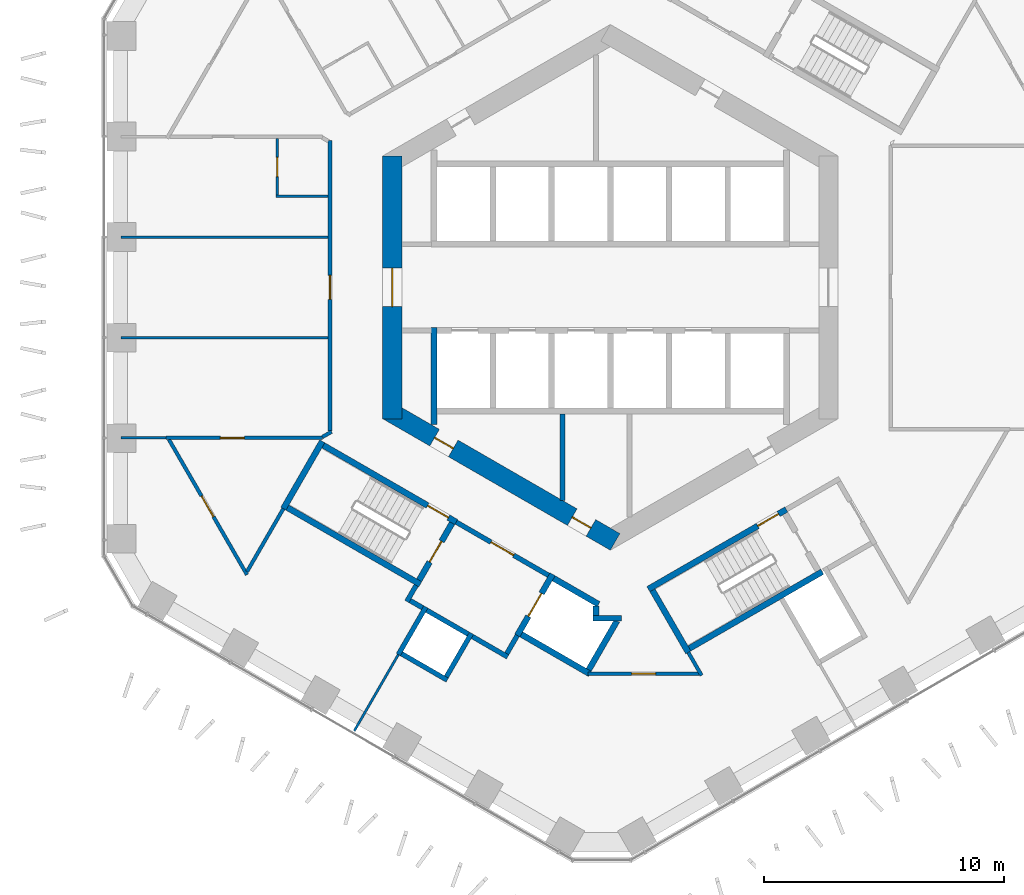
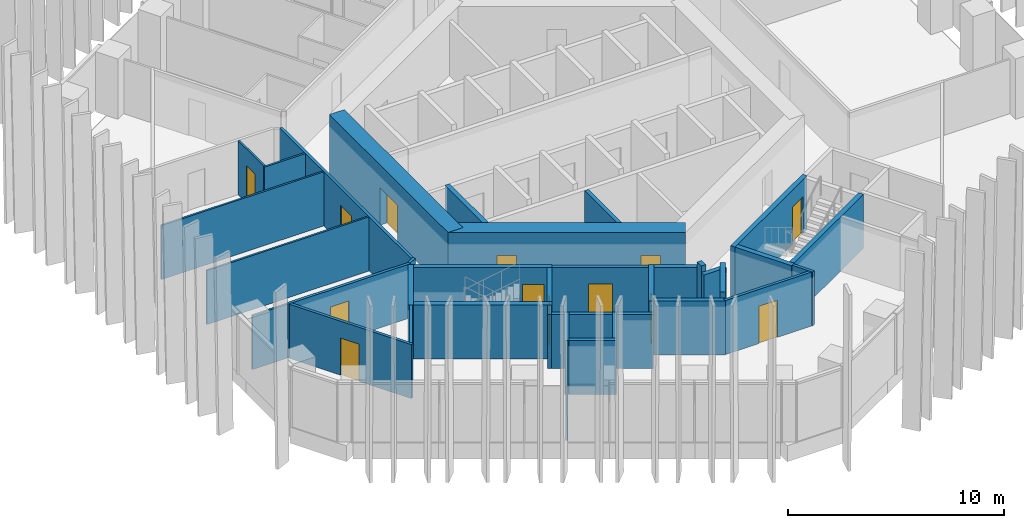
# One storey, part 13 of 19: 39 walls, 13 doors, 13 openings.
"""IFC4 building model written with IfcOpenShell, lengths in metres."""

import ifcopenshell
import ifcopenshell.guid

model = None  # the IFC model being written
_history = None  # IfcOwnerHistory: only IFC2X3 demands one
_inside = {}  # id of a spatial element -> (the spatial element, [elements in it])
_under = {}  # id of a project, library or spatial element -> (it, [spatial elements below it])
_declared = {}  # id of a project -> (the project, [libraries it declares])
_typed = {}  # id of a type object -> (the type object, [elements of that type])
_made_of = {}  # id of a material, layer set ... -> (it, [elements and type objects made of it])


def new_model(schema):
    """Start an empty IFC model of exactly this schema.

    Asked for "IFC4X3", IfcOpenShell would pick the latest addendum, in which some entities
    have other attributes; the version numbers below select the first issue.
    IFC2X3 requires an IfcOwnerHistory on every rooted entity: one is made here for all.
    """
    global model, _history
    if schema == "IFC4X3":
        model = ifcopenshell.file(schema_version=(4, 3, 0, 0))
    else:
        model = ifcopenshell.file(schema=schema)
    _inside.clear()
    _under.clear()
    _declared.clear()
    _typed.clear()
    _made_of.clear()
    _history = None
    if model.schema == "IFC2X3":
        org = make("IfcOrganization", Name="unknown")
        user = make(
            "IfcPersonAndOrganization",
            ThePerson=make("IfcPerson", FamilyName="unknown"),
            TheOrganization=org,
        )
        app = make(
            "IfcApplication",
            ApplicationDeveloper=org,
            Version="unknown",
            ApplicationFullName="unknown",
            ApplicationIdentifier="unknown",
        )
        _history = make(
            "IfcOwnerHistory",
            OwningUser=user,
            OwningApplication=app,
            ChangeAction="ADDED",
            CreationDate=0,
        )
    return model


def make(cls, **values):
    """One entity of the class cls with the attributes given. An attribute that is None is left unset."""
    return model.create_entity(
        cls, **{name: value for name, value in values.items() if value is not None}
    )


def rooted(cls, **values):
    """An entity with a GlobalId (a new one), such as an element, a storey or a relation."""
    return make(cls, GlobalId=ifcopenshell.guid.new(), OwnerHistory=_history, **values)


def si_unit(unit_type, name, prefix=None):
    """IfcSIUnit, for example si_unit("LENGTHUNIT", "METRE", prefix="MILLI")."""
    return make("IfcSIUnit", UnitType=unit_type, Prefix=prefix, Name=name)


def assignment(units):
    """IfcUnitAssignment: the units of a project."""
    return None if units is None else make("IfcUnitAssignment", Units=units)


def point(xyz):
    """IfcCartesianPoint."""
    return None if xyz is None else make("IfcCartesianPoint", Coordinates=xyz)


def direction(xyz):
    """IfcDirection."""
    return None if xyz is None else make("IfcDirection", DirectionRatios=xyz)


def frame(location, z_axis=None, x_axis=None):
    """IfcAxis2Placement3D, a coordinate frame: its origin and axes. An axis left out is left unset."""
    return make(
        "IfcAxis2Placement3D",
        Location=point(location),
        Axis=direction(z_axis),
        RefDirection=direction(x_axis),
    )


def frame_2d(location, x_axis=None):
    """IfcAxis2Placement2D, a coordinate frame in the plane: its origin and x axis."""
    return make(
        "IfcAxis2Placement2D", Location=point(location), RefDirection=direction(x_axis)
    )


def origin():
    """The frame at (0, 0, 0) with its axes left unset."""
    return frame((0.0, 0.0, 0.0))


def place(relative_to, where):
    """IfcLocalPlacement: puts the frame where relative to a parent placement (None: the world)."""
    return make(
        "IfcLocalPlacement", PlacementRelTo=relative_to, RelativePlacement=where
    )


def context(
    kind, dimensions, precision=None, world=None, true_north=None, identifier=None
):
    """IfcGeometricRepresentationContext, for example the 3D "Model" context."""
    return make(
        "IfcGeometricRepresentationContext",
        ContextIdentifier=identifier,
        ContextType=kind,
        CoordinateSpaceDimension=dimensions,
        Precision=precision,
        WorldCoordinateSystem=world,
        TrueNorth=true_north,
    )


def subcontext(parent, identifier, kind, view, scale=None):
    """IfcGeometricRepresentationSubContext, for example "Body" below "Model"."""
    return make(
        "IfcGeometricRepresentationSubContext",
        ContextIdentifier=identifier,
        ContextType=kind,
        ParentContext=parent,
        TargetScale=scale,
        TargetView=view,
    )


def project(units=None, contexts=None):
    """IfcProject with its units and contexts."""
    return rooted(
        "IfcProject",
        Name="project",
        RepresentationContexts=contexts,
        UnitsInContext=assignment(units),
    )


def spatial(cls, under=None, at=None, **own):
    """A site, building, storey or space (cls), placed at a placement, below another one or the project."""
    s = rooted(cls, ObjectPlacement=at, **own)
    if under is not None:
        _under.setdefault(under.id(), (under, []))[1].append(s)
    return s


def profile(cls, at=None, kind="AREA", **sizes):
    """A parametric profile (cls). Its sizes go by their IFC names, for example OverallWidth=200.0."""
    return make(cls, ProfileType=kind, Position=at, **sizes)


def rectangle(**sizes):
    """IfcRectangleProfileDef."""
    return profile("IfcRectangleProfileDef", **sizes)


def extrude(swept, where, along, depth):
    """IfcExtrudedAreaSolid: the profile swept, set in the frame where, extruded along a direction by depth."""
    return make(
        "IfcExtrudedAreaSolid",
        SweptArea=swept,
        Position=where,
        ExtrudedDirection=direction(along),
        Depth=depth,
    )


def shape(context_of_items, identifier, shape_type, items):
    """IfcShapeRepresentation: the items that make up one representation, for example the "Body"."""
    return make(
        "IfcShapeRepresentation",
        ContextOfItems=context_of_items,
        RepresentationIdentifier=identifier,
        RepresentationType=shape_type,
        Items=items,
    )


def material(Name=None, Category=None):
    """IfcMaterial."""
    return make("IfcMaterial", Name=Name, Category=Category)


def layer(
    of_material, thickness, ventilated=None, Name=None, Category=None, Priority=None
):
    """IfcMaterialLayer: one layer of a wall or slab, of a material (None: an air gap)."""
    return make(
        "IfcMaterialLayer",
        Material=of_material,
        LayerThickness=thickness,
        IsVentilated=ventilated,
        Name=Name,
        Category=Category,
        Priority=Priority,
    )


def layer_set(layers, Name=None):
    """IfcMaterialLayerSet."""
    return make("IfcMaterialLayerSet", MaterialLayers=layers, LayerSetName=Name)


def made_of(thing, what):
    """Note that an element or type object is made of a material, layer set ...; save() writes the relation."""
    if what is not None:
        _made_of.setdefault(what.id(), (what, []))[1].append(thing)
    return thing


def type_object(cls, material=None, **own):
    """A type object (cls), such as IfcWallType, which elements share."""
    return made_of(rooted(cls, **own), material)


def element(
    cls,
    number,
    at=None,
    inside=None,
    cuts=None,
    type_object=None,
    material=None,
    context=None,
    identifier="Body",
    shape_type=None,
    held_by="IfcProductDefinitionShape",
    body=None,
    shapes=None,
    **own,
):
    """One element of the class cls, such as IfcWall. Its Tag is "e" and its number.

    at: its placement. inside: the storey or other place that contains it. cuts: it is an
    opening in that element (IfcRelVoidsElement). A single representation is given by context,
    identifier, shape_type and body (its items); several are given by shapes. held_by: the class
    of the entity that holds the representations. save() writes the other relations.
    """
    e = rooted(cls, Tag="e%d" % number, ObjectPlacement=at, **own)
    if body is not None:
        shapes = [shape(context, identifier, shape_type, body)]
    if shapes is not None:
        e.Representation = make(held_by, Representations=shapes)
    if inside is not None:
        _inside.setdefault(inside.id(), (inside, []))[1].append(e)
    if cuts is not None:
        rooted(
            "IfcRelVoidsElement", RelatingBuildingElement=cuts, RelatedOpeningElement=e
        )
    if type_object is not None:
        _typed.setdefault(type_object.id(), (type_object, []))[1].append(e)
    return made_of(e, material)


def fill(opening, filler):
    """IfcRelFillsElement: the door or window that sits in an opening."""
    return rooted(
        "IfcRelFillsElement",
        RelatingOpeningElement=opening,
        RelatedBuildingElement=filler,
    )


def aggregate(whole, parts):
    """IfcRelAggregates: a whole, such as a stair, and the parts it consists of."""
    return rooted("IfcRelAggregates", RelatingObject=whole, RelatedObjects=parts)


def save(model, path):
    """Write the relations noted so far, then the file.

    IfcRelAggregates (storeys below a building ...), IfcRelContainedInSpatialStructure (elements
    in a storey), IfcRelDefinesByType, IfcRelAssociatesMaterial and IfcRelDeclares: one each for
    every whole, place, type object, material and project.
    """
    for whole, parts in _under.values():
        aggregate(whole, parts)
    for where, things in _inside.values():
        rooted(
            "IfcRelContainedInSpatialStructure",
            RelatedElements=things,
            RelatingStructure=where,
        )
    for kind, things in _typed.values():
        rooted("IfcRelDefinesByType", RelatedObjects=things, RelatingType=kind)
    for what, things in _made_of.values():
        rooted("IfcRelAssociatesMaterial", RelatedObjects=things, RelatingMaterial=what)
    for by, libraries in _declared.values():
        rooted("IfcRelDeclares", RelatingContext=by, RelatedDefinitions=libraries)
    model.write(path)


model = new_model("IFC4")

# Units and contexts
model_context = context("Model", 3, precision=1e-05, world=origin(), true_north=direction((0.0, 1.0)))
body_context = subcontext(model_context, "Body", "Model", "MODEL_VIEW")
ifc_project = project(units=[si_unit("LENGTHUNIT", "METRE"), si_unit("AREAUNIT", "SQUARE_METRE"), si_unit("VOLUMEUNIT", "CUBIC_METRE"), si_unit("PLANEANGLEUNIT", "RADIAN"), si_unit("MASSUNIT", "GRAM", prefix="KILO")], contexts=[model_context])

# Site, building, storey
site_placement = place(None, origin())
site = spatial("IfcSite", under=ifc_project, at=site_placement, CompositionType="ELEMENT")
building_placement = place(site_placement, origin())
building = spatial("IfcBuilding", under=site, at=building_placement, Name="Ayvan Gate Tower", CompositionType="ELEMENT")
storey_placement = place(building_placement, frame((0.0, 0.0, 45.89990234375)))
storey = spatial("IfcBuildingStorey", under=building, at=storey_placement, Name="L11", CompositionType="ELEMENT", Elevation=45.89990234375)

# Wall, opening, door
ifc_material_1 = material(Name="Concrete C70/85", Category="concrete")
ifc_layer_1 = layer(ifc_material_1, 0.800048828125)
ifc_layer_set_1 = layer_set([ifc_layer_1], Name="Concrete C70/85")
wall_type_1 = type_object("IfcWallType", Name="Core wall 800 C70/85", PredefinedType="SHEAR", material=ifc_layer_set_1)
wall_1_placement = place(storey_placement, frame((-9.10009765625, 5.48486328125, 0.0), z_axis=(0.0, 0.0, 1.0), x_axis=(0.0, -1.0, 0.0)))
wall_1 = element("IfcWall", 1, at=wall_1_placement, inside=storey, type_object=wall_type_1, Name="CORE-L11-3", PredefinedType="SHEAR", context=body_context, shape_type="SweptSolid", body=[
    extrude(rectangle(XDim=10.9697265625, YDim=0.800048828125, at=frame_2d((5.48486328125, 0.0))), origin(), (0.0, 0.0, 1.0), 3.400146484375),
])
opening_1_placement = place(wall_1_placement, frame((4.684814453125, 0.0, 0.0)))
opening_1 = element("IfcOpeningElement", 2, at=opening_1_placement, cuts=wall_1, Name="Opening L11-D40", PredefinedType="OPENING", context=body_context, shape_type="SweptSolid", body=[
    extrude(rectangle(XDim=1.60009765625, YDim=2.10009765625, at=frame_2d((0.800048828125, 1.050048828125))), frame((0.0, 0.409912109375, 0.0), z_axis=(0.0, -1.0, 0.0), x_axis=(1.0, 0.0, 0.0)), (0.0, 0.0, 1.0), 0.820068359375),
])
ifc_material_2 = material(Name="Timber door leaf", Category="wood")
door_type_1 = type_object("IfcDoorType", Name="DT-1600", OperationType="NOTDEFINED", PredefinedType="DOOR", material=ifc_material_2)
door_1_placement = place(opening_1_placement, origin())
door_1 = element("IfcDoor", 3, at=door_1_placement, inside=storey, type_object=door_type_1, Name="CD-L11-40", OperationType="SINGLE_SWING_LEFT", OverallHeight=2.10009765625, OverallWidth=1.60009765625, PredefinedType="DOOR", context=body_context, shape_type="SweptSolid", body=[
    extrude(rectangle(XDim=1.60009765625, YDim=2.10009765625, at=frame_2d((0.800048828125, 1.050048828125))), frame((0.0, 0.02490234375, 0.0), z_axis=(0.0, -1.0, 0.0), x_axis=(1.0, 0.0, 0.0)), (0.0, 0.0, 1.0), 0.050048828125),
])
fill(opening_1, door_1)

# Wall, openings, doors
wall_2_placement = place(storey_placement, frame((-9.300048828125, -5.138427734375, 0.0), z_axis=(0.0, 0.0, 1.0), x_axis=(0.866023993627, -0.500002442456, 0.0)))
wall_2 = element("IfcWall", 4, at=wall_2_placement, inside=storey, type_object=wall_type_1, Name="CORE-L11-4", PredefinedType="SHEAR", context=body_context, shape_type="SweptSolid", body=[
    extrude(rectangle(XDim=10.9697265625, YDim=0.800048828125, at=frame_2d((5.48486328125, 0.0))), origin(), (0.0, 0.0, 1.0), 3.400146484375),
])
opening_2_placement = place(wall_2_placement, frame((2.268310546875, 0.0, 0.0)))
opening_2 = element("IfcOpeningElement", 5, at=opening_2_placement, cuts=wall_2, Name="Opening L11-D36", PredefinedType="OPENING", context=body_context, shape_type="SweptSolid", body=[
    extrude(rectangle(XDim=0.89990234375, YDim=2.10009765625, at=frame_2d((0.449951171875, 1.050048828125))), frame((0.0, 0.409912109375, 0.0), z_axis=(0.0, -1.0, 0.0), x_axis=(1.0, 0.0, 0.0)), (0.0, 0.0, 1.0), 0.820068359375),
])
opening_3_placement = place(wall_2_placement, frame((8.902587890625, 0.0, 0.0)))
opening_3 = element("IfcOpeningElement", 6, at=opening_3_placement, cuts=wall_2, Name="Opening L11-D37", PredefinedType="OPENING", context=body_context, shape_type="SweptSolid", body=[
    extrude(rectangle(XDim=0.89990234375, YDim=2.10009765625, at=frame_2d((0.449951171875, 1.050048828125))), frame((0.0, 0.409912109375, 0.0), z_axis=(0.0, -1.0, 0.0), x_axis=(1.0, 0.0, 0.0)), (0.0, 0.0, 1.0), 0.820068359375),
])
door_type_2 = type_object("IfcDoorType", Name="DT-900", OperationType="NOTDEFINED", PredefinedType="DOOR", material=ifc_material_2)
door_2_placement = place(opening_2_placement, origin())
door_2 = element("IfcDoor", 7, at=door_2_placement, inside=storey, type_object=door_type_2, Name="CD-L11-36", OperationType="SINGLE_SWING_LEFT", OverallHeight=2.10009765625, OverallWidth=0.89990234375, PredefinedType="DOOR", context=body_context, shape_type="SweptSolid", body=[
    extrude(rectangle(XDim=0.89990234375, YDim=2.10009765625, at=frame_2d((0.449951171875, 1.050048828125))), frame((0.0, 0.02490234375, 0.0), z_axis=(0.0, -1.0, 0.0), x_axis=(1.0, 0.0, 0.0)), (0.0, 0.0, 1.0), 0.050048828125),
])
fill(opening_2, door_2)
door_3_placement = place(opening_3_placement, origin())
door_3 = element("IfcDoor", 8, at=door_3_placement, inside=storey, type_object=door_type_2, Name="CD-L11-37", OperationType="SINGLE_SWING_RIGHT", OverallHeight=2.10009765625, OverallWidth=0.89990234375, PredefinedType="DOOR", context=body_context, shape_type="SweptSolid", body=[
    extrude(rectangle(XDim=0.89990234375, YDim=2.10009765625, at=frame_2d((0.449951171875, 1.050048828125))), frame((0.0, 0.02490234375, 0.0), z_axis=(0.0, -1.0, 0.0), x_axis=(1.0, 0.0, 0.0)), (0.0, 0.0, 1.0), 0.050048828125),
])
fill(opening_3, door_3)

# Wall, opening, door
ifc_material_3 = material(Name="Plasterboard on steel stud", Category="steel")
ifc_layer_2 = layer(ifc_material_3, 0.14990234375)
ifc_layer_set_2 = layer_set([ifc_layer_2], Name="Plasterboard on steel stud")
wall_type_2 = type_object("IfcWallType", Name="WT-CORR-150", PredefinedType="PARTITIONING", material=ifc_layer_set_2)
wall_3_placement = place(storey_placement, frame((-18.53662109375, -6.2841796875, 0.0), z_axis=(0.0, 0.0, 1.0), x_axis=(1.0, 0.0, 0.0)))
wall_3 = element("IfcWall", 9, at=wall_3_placement, inside=storey, type_object=wall_type_2, Name="IW-L11-000", PredefinedType="PARTITIONING", context=body_context, shape_type="SweptSolid", body=[
    extrude(rectangle(XDim=6.527099609375, YDim=0.14990234375, at=frame_2d((3.263671875, 0.0))), origin(), (0.0, 0.0, 1.0), 3.050048828125),
])
opening_4_placement = place(wall_3_placement, frame((2.259521484375, 0.0, 0.0)))
opening_4 = element("IfcOpeningElement", 10, at=opening_4_placement, cuts=wall_3, Name="Opening L11-D24", PredefinedType="OPENING", context=body_context, shape_type="SweptSolid", body=[
    extrude(rectangle(XDim=1.0, YDim=2.10009765625, at=frame_2d((0.5, 1.050048828125))), frame((0.0, 0.0849609375, 0.0), z_axis=(0.0, -1.0, 0.0), x_axis=(1.0, 0.0, 0.0)), (0.0, 0.0, 1.0), 0.169921875),
])
door_type_3 = type_object("IfcDoorType", Name="DT-1000", OperationType="NOTDEFINED", PredefinedType="DOOR", material=ifc_material_2)
door_4_placement = place(opening_4_placement, origin())
door_4 = element("IfcDoor", 11, at=door_4_placement, inside=storey, type_object=door_type_3, Name="ID-L11-024", OperationType="SINGLE_SWING_LEFT", OverallHeight=2.10009765625, OverallWidth=1.0, PredefinedType="DOOR", context=body_context, shape_type="SweptSolid", body=[
    extrude(rectangle(XDim=1.0, YDim=2.10009765625, at=frame_2d((0.5, 1.050048828125))), frame((0.0, 0.02490234375, 0.0), z_axis=(0.0, -1.0, 0.0), x_axis=(1.0, 0.0, 0.0)), (0.0, 0.0, 1.0), 0.050048828125),
])
fill(opening_4, door_4)

wall_4_placement = place(storey_placement, frame((-15.164306640625, -11.995361328125, 0.0), z_axis=(0.0, 0.0, 1.0), x_axis=(-0.499989336744, 0.866031560131, 0.0)))
wall_4 = element("IfcWall", 12, at=wall_4_placement, inside=storey, type_object=wall_type_2, Name="IW-L11-005", PredefinedType="PARTITIONING", context=body_context, shape_type="SweptSolid", body=[
    extrude(rectangle(XDim=6.519775390625, YDim=0.14990234375, at=frame_2d((3.259765625, 0.0))), origin(), (0.0, 0.0, 1.0), 3.050048828125),
])
opening_5_placement = place(wall_4_placement, frame((2.79736328125, 0.0, 0.0)))
opening_5 = element("IfcOpeningElement", 13, at=opening_5_placement, cuts=wall_4, Name="Opening L11-D25", PredefinedType="OPENING", context=body_context, shape_type="SweptSolid", body=[
    extrude(rectangle(XDim=1.0, YDim=2.10009765625, at=frame_2d((0.5, 1.050048828125))), frame((0.0, 0.0849609375, 0.0), z_axis=(0.0, -1.0, 0.0), x_axis=(1.0, 0.0, 0.0)), (0.0, 0.0, 1.0), 0.169921875),
])
door_5_placement = place(opening_5_placement, origin())
door_5 = element("IfcDoor", 14, at=door_5_placement, inside=storey, type_object=door_type_3, Name="ID-L11-025", OperationType="SINGLE_SWING_RIGHT", OverallHeight=2.10009765625, OverallWidth=1.0, PredefinedType="DOOR", context=body_context, shape_type="SweptSolid", body=[
    extrude(rectangle(XDim=1.0, YDim=2.10009765625, at=frame_2d((0.5, 1.050048828125))), frame((0.0, 0.02490234375, 0.0), z_axis=(0.0, -1.0, 0.0), x_axis=(1.0, 0.0, 0.0)), (0.0, 0.0, 1.0), 0.050048828125),
])
fill(opening_5, door_5)

# Walls
wall_5_placement = place(storey_placement, frame((-13.647705078125, -9.23876953125, 0.0), z_axis=(0.0, 0.0, 1.0), x_axis=(-0.500017413604, -0.866015349802, 0.0)))
element("IfcWall", 15, at=wall_5_placement, inside=storey, type_object=wall_type_2, Name="IW-L11-011", PredefinedType="PARTITIONING", context=body_context, shape_type="SweptSolid", body=[
    extrude(rectangle(XDim=3.033203125, YDim=0.14990234375, at=frame_2d((1.5166015625, 0.0))), origin(), (0.0, 0.0, 1.0), 3.050048828125),
])
wall_6_placement = place(storey_placement, frame((-12.01953125, -6.24658203125, 0.0), z_axis=(0.0, 0.0, 1.0), x_axis=(0.866103179807, 0.499865263774, 0.0)))
element("IfcWall", 16, at=wall_6_placement, inside=storey, type_object=wall_type_2, Name="IW-L11-013", PredefinedType="PARTITIONING", context=body_context, shape_type="SweptSolid", body=[
    extrude(rectangle(XDim=0.44384765625, YDim=0.14990234375, at=frame_2d((0.221923828125, 0.0))), origin(), (0.0, 0.0, 1.0), 3.050048828125),
])

# Wall, opening, door
wall_7_placement = place(storey_placement, frame((-11.699951171875, 6.13720703125, 0.0), z_axis=(0.0, 0.0, 1.0), x_axis=(0.0, -1.0, 0.0)))
wall_7 = element("IfcWall", 17, at=wall_7_placement, inside=storey, type_object=wall_type_2, Name="IW-L11-015", PredefinedType="PARTITIONING", context=body_context, shape_type="SweptSolid", body=[
    extrude(rectangle(XDim=12.12451171875, YDim=0.14990234375, at=frame_2d((6.062255859375, 0.0))), origin(), (0.0, 0.0, 1.0), 3.050048828125),
])
opening_6_placement = place(wall_7_placement, frame((5.63720703125, 0.0, 0.0)))
opening_6 = element("IfcOpeningElement", 18, at=opening_6_placement, cuts=wall_7, Name="Opening L11-D23", PredefinedType="OPENING", context=body_context, shape_type="SweptSolid", body=[
    extrude(rectangle(XDim=1.0, YDim=2.10009765625, at=frame_2d((0.5, 1.050048828125))), frame((0.0, 0.0849609375, 0.0), z_axis=(0.0, -1.0, 0.0), x_axis=(1.0, 0.0, 0.0)), (0.0, 0.0, 1.0), 0.169921875),
])
door_6_placement = place(opening_6_placement, origin())
door_6 = element("IfcDoor", 19, at=door_6_placement, inside=storey, type_object=door_type_3, Name="ID-L11-023", OperationType="SINGLE_SWING_RIGHT", OverallHeight=2.10009765625, OverallWidth=1.0, PredefinedType="DOOR", context=body_context, shape_type="SweptSolid", body=[
    extrude(rectangle(XDim=1.0, YDim=2.10009765625, at=frame_2d((0.5, 1.050048828125))), frame((0.0, 0.02490234375, 0.0), z_axis=(0.0, -1.0, 0.0), x_axis=(1.0, 0.0, 0.0)), (0.0, 0.0, 1.0), 0.050048828125),
])
fill(opening_6, door_6)

# Wall
wall_8_placement = place(storey_placement, frame((3.255615234375, -15.23876953125, 0.0), z_axis=(0.0, 0.0, 1.0), x_axis=(0.499990325971, -0.866030989016, 0.0)))
element("IfcWall", 20, at=wall_8_placement, inside=storey, type_object=wall_type_2, Name="IW-L11-077", PredefinedType="PARTITIONING", context=body_context, shape_type="SweptSolid", body=[
    extrude(rectangle(XDim=1.1044921875, YDim=0.14990234375, at=frame_2d((0.55224609375, 0.0))), origin(), (0.0, 0.0, 1.0), 3.050048828125),
])

# Wall, opening, door
wall_9_placement = place(storey_placement, frame((3.6953125, -16.13037109375, 0.0), z_axis=(0.0, 0.0, 1.0), x_axis=(-1.0, 0.0, 0.0)))
wall_9 = element("IfcWall", 21, at=wall_9_placement, inside=storey, type_object=wall_type_2, Name="IW-L11-079", PredefinedType="PARTITIONING", context=body_context, shape_type="SweptSolid", body=[
    extrude(rectangle(XDim=4.619384765625, YDim=0.14990234375, at=frame_2d((2.3095703125, 0.0))), origin(), (0.0, 0.0, 1.0), 3.050048828125),
])
opening_7_placement = place(wall_9_placement, frame((1.8095703125, 0.0, 0.0)))
opening_7 = element("IfcOpeningElement", 22, at=opening_7_placement, cuts=wall_9, Name="Opening L11-D26", PredefinedType="OPENING", context=body_context, shape_type="SweptSolid", body=[
    extrude(rectangle(XDim=1.0, YDim=2.10009765625, at=frame_2d((0.5, 1.050048828125))), frame((0.0, 0.0849609375, 0.0), z_axis=(0.0, -1.0, 0.0), x_axis=(1.0, 0.0, 0.0)), (0.0, 0.0, 1.0), 0.169921875),
])
door_7_placement = place(opening_7_placement, origin())
door_7 = element("IfcDoor", 23, at=door_7_placement, inside=storey, type_object=door_type_3, Name="ID-L11-026", OperationType="SINGLE_SWING_LEFT", OverallHeight=2.10009765625, OverallWidth=1.0, PredefinedType="DOOR", context=body_context, shape_type="SweptSolid", body=[
    extrude(rectangle(XDim=1.0, YDim=2.10009765625, at=frame_2d((0.5, 1.050048828125))), frame((0.0, 0.02490234375, 0.0), z_axis=(0.0, -1.0, 0.0), x_axis=(1.0, 0.0, 0.0)), (0.0, 0.0, 1.0), 0.050048828125),
])
fill(opening_7, door_7)

# Walls
ifc_layer_3 = layer(ifc_material_3, 0.10009765625)
ifc_layer_set_3 = layer_set([ifc_layer_3], Name="Plasterboard on steel stud")
wall_type_3 = type_object("IfcWallType", Name="WT-PART-100", PredefinedType="PARTITIONING", material=ifc_layer_set_3)
wall_10_placement = place(storey_placement, frame((-18.53662109375, -6.2841796875, 0.0), z_axis=(0.0, 0.0, 1.0), x_axis=(-1.0, 0.0, 0.0)))
element("IfcWall", 24, at=wall_10_placement, inside=storey, type_object=wall_type_3, Name="IW-L11-003", PredefinedType="PARTITIONING", context=body_context, shape_type="SweptSolid", body=[
    extrude(rectangle(XDim=1.891845703125, YDim=0.10009765625, at=frame_2d((0.94580078125, 0.0))), origin(), (0.0, 0.0, 1.0), 3.050048828125),
])
wall_11_placement = place(storey_placement, frame((-13.949951171875, 3.794677734375, 0.0), z_axis=(0.0, 0.0, 1.0), x_axis=(1.0, 0.0, 0.0)))
element("IfcWall", 25, at=wall_11_placement, inside=storey, type_object=wall_type_3, Name="IW-L11-007", PredefinedType="PARTITIONING", context=body_context, shape_type="SweptSolid", body=[
    extrude(rectangle(XDim=2.175048828125, YDim=0.10009765625, at=frame_2d((1.08740234375, 0.0))), origin(), (0.0, 0.0, 1.0), 3.050048828125),
])

# Wall, opening, door
wall_12_placement = place(storey_placement, frame((-13.89990234375, 6.208984375, 0.0), z_axis=(0.0, 0.0, 1.0), x_axis=(0.0, -1.0, 0.0)))
wall_12 = element("IfcWall", 26, at=wall_12_placement, inside=storey, type_object=wall_type_3, Name="IW-L11-008", PredefinedType="PARTITIONING", context=body_context, shape_type="SweptSolid", body=[
    extrude(rectangle(XDim=2.3642578125, YDim=0.10009765625, at=frame_2d((1.18212890625, 0.0))), origin(), (0.0, 0.0, 1.0), 3.050048828125),
])
opening_8_placement = place(wall_12_placement, frame((0.7822265625, 0.0, 0.0)))
opening_8 = element("IfcOpeningElement", 27, at=opening_8_placement, cuts=wall_12, Name="Opening L11-D22", PredefinedType="OPENING", context=body_context, shape_type="SweptSolid", body=[
    extrude(rectangle(XDim=0.800048828125, YDim=2.10009765625, at=frame_2d((0.39990234375, 1.050048828125))), frame((0.0, 0.06005859375, 0.0), z_axis=(0.0, -1.0, 0.0), x_axis=(1.0, 0.0, 0.0)), (0.0, 0.0, 1.0), 0.1201171875),
])
door_type_4 = type_object("IfcDoorType", Name="DT-800", OperationType="NOTDEFINED", PredefinedType="DOOR", material=ifc_material_2)
door_8_placement = place(opening_8_placement, origin())
door_8 = element("IfcDoor", 28, at=door_8_placement, inside=storey, type_object=door_type_4, Name="ID-L11-022", OperationType="SINGLE_SWING_LEFT", OverallHeight=2.10009765625, OverallWidth=0.800048828125, PredefinedType="DOOR", context=body_context, shape_type="SweptSolid", body=[
    extrude(rectangle(XDim=0.800048828125, YDim=2.10009765625, at=frame_2d((0.39990234375, 1.050048828125))), frame((0.0, 0.02490234375, 0.0), z_axis=(0.0, -1.0, 0.0), x_axis=(1.0, 0.0, 0.0)), (0.0, 0.0, 1.0), 0.050048828125),
])
fill(opening_8, door_8)

# Walls
for number, where, z_axis, x_axis, name in (
    (29, (-11.77490234375, -2.0947265625, 0.0), (0.0, 0.0, 1.0), (-1.0, 0.0, 0.0), "IW-L11-014"),
    (30, (-11.77490234375, 2.0947265625, 0.0), (0.0, 0.0, 1.0), (-1.0, 0.0, 0.0), "IW-L11-016"),
):
    element("IfcWall", number, at=place(storey_placement, frame(where, z_axis=z_axis, x_axis=x_axis)), inside=storey, type_object=wall_type_3, Name=name, PredefinedType="PARTITIONING", context=body_context, shape_type="SweptSolid", body=[
        extrude(rectangle(XDim=8.653564453125, YDim=0.10009765625, at=frame_2d((4.32666015625, 0.0))), origin(), (0.0, 0.0, 1.0), 3.050048828125),
    ])
wall_13_placement = place(storey_placement, frame((-8.85009765625, -15.32861328125, 0.0), z_axis=(0.0, 0.0, 1.0), x_axis=(-0.499955964762, -0.866050826049, 0.0)))
element("IfcWall", 31, at=wall_13_placement, inside=storey, type_object=wall_type_3, Name="IW-L11-023", PredefinedType="PARTITIONING", context=body_context, shape_type="SweptSolid", body=[
    extrude(rectangle(XDim=3.680419921875, YDim=0.10009765625, at=frame_2d((1.84033203125, 0.0))), origin(), (0.0, 0.0, 1.0), 3.050048828125),
])
ifc_layer_4 = layer(ifc_material_3, 0.199951171875)
ifc_layer_set_4 = layer_set([ifc_layer_4], Name="Plasterboard on steel stud")
wall_type_4 = type_object("IfcWallType", Name="WT-PLUMB-200", PredefinedType="PLUMBINGWALL", material=ifc_layer_set_4)
wall_14_placement = place(storey_placement, frame((-8.85009765625, -15.32861328125, 0.0), z_axis=(0.0, 0.0, 1.0), x_axis=(0.500077740698, 0.865980515519, 0.0)))
element("IfcWall", 32, at=wall_14_placement, inside=storey, type_object=wall_type_4, Name="IW-L11-022", PredefinedType="PLUMBINGWALL", context=body_context, shape_type="SweptSolid", body=[
    extrude(rectangle(XDim=2.300048828125, YDim=0.199951171875, at=frame_2d((1.14990234375, 0.0))), origin(), (0.0, 0.0, 1.0), 3.050048828125),
])
wall_15_placement = place(storey_placement, frame((-6.80810546875, -16.39208984375, 0.0), z_axis=(0.0, 0.0, 1.0), x_axis=(-0.866008176907, 0.50002983664, 0.0)))
element("IfcWall", 33, at=wall_15_placement, inside=storey, type_object=wall_type_4, Name="IW-L11-035", PredefinedType="PLUMBINGWALL", context=body_context, shape_type="SweptSolid", body=[
    extrude(rectangle(XDim=2.199951171875, YDim=0.199951171875, at=frame_2d((1.10009765625, 0.0))), origin(), (0.0, 0.0, 1.0), 3.050048828125),
])
wall_16_placement = place(storey_placement, frame((-5.794677734375, -14.436767578125, 0.0), z_axis=(0.0, 0.0, 1.0), x_axis=(-0.500027713859, -0.866009402589, 0.0)))
element("IfcWall", 34, at=wall_16_placement, inside=storey, type_object=wall_type_4, Name="IW-L11-038", PredefinedType="PLUMBINGWALL", context=body_context, shape_type="SweptSolid", body=[
    extrude(rectangle(XDim=2.10009765625, YDim=0.199951171875, at=frame_2d((1.050048828125, 0.0))), origin(), (0.0, 0.0, 1.0), 3.050048828125),
])
wall_17_placement = place(storey_placement, frame((-5.931396484375, -14.473388671875, 0.0), z_axis=(0.0, 0.0, 1.0), x_axis=(-0.866041268327, 0.499972520799, 0.0)))
element("IfcWall", 35, at=wall_17_placement, inside=storey, type_object=wall_type_4, Name="IW-L11-039", PredefinedType="PLUMBINGWALL", context=body_context, shape_type="SweptSolid", body=[
    extrude(rectangle(XDim=2.0, YDim=0.199951171875, at=frame_2d((1.0, 0.0))), origin(), (0.0, 0.0, 1.0), 3.050048828125),
])
ifc_layer_5 = layer(ifc_material_3, 0.199951171875)
ifc_layer_set_5 = layer_set([ifc_layer_5], Name="Plasterboard on steel stud")
wall_type_5 = type_object("IfcWallType", Name="WT-RATED-200", PredefinedType="PARTITIONING", material=ifc_layer_set_5)
wall_18_placement = place(storey_placement, frame((-8.492919921875, -13.110107421875, 0.0), z_axis=(0.0, 0.0, 1.0), x_axis=(0.500067724834, 0.865986299303, 0.0)))
element("IfcWall", 36, at=wall_18_placement, inside=storey, type_object=wall_type_5, Name="IW-L11-025", PredefinedType="PARTITIONING", context=body_context, shape_type="SweptSolid", body=[
    extrude(rectangle(XDim=0.775390625, YDim=0.199951171875, at=frame_2d((0.3876953125, 0.0))), origin(), (0.0, 0.0, 1.0), 3.050048828125),
])
wall_19_placement = place(storey_placement, frame((-7.83642578125, -13.373291015625, 0.0), z_axis=(0.0, 0.0, 1.0), x_axis=(-0.866232998003, 0.499640263761, 0.0)))
element("IfcWall", 37, at=wall_19_placement, inside=storey, type_object=wall_type_5, Name="IW-L11-027", PredefinedType="PARTITIONING", context=body_context, shape_type="SweptSolid", body=[
    extrude(rectangle(XDim=0.60009765625, YDim=0.199951171875, at=frame_2d((0.300048828125, 0.0))), origin(), (0.0, 0.0, 1.0), 3.050048828125),
])

# Wall, opening, door
wall_20_placement = place(storey_placement, frame((-6.4345703125, -9.794921875, 0.0), z_axis=(0.0, 0.0, 1.0), x_axis=(0.866012907634, -0.500021643343, 0.0)))
wall_20 = element("IfcWall", 38, at=wall_20_placement, inside=storey, type_object=wall_type_5, Name="IW-L11-037", PredefinedType="PARTITIONING", context=body_context, shape_type="SweptSolid", body=[
    extrude(rectangle(XDim=4.449951171875, YDim=0.199951171875, at=frame_2d((2.22509765625, 0.0))), origin(), (0.0, 0.0, 1.0), 3.050048828125),
])
opening_9_placement = place(wall_20_placement, frame((1.675048828125, 0.0, 0.0)))
opening_9 = element("IfcOpeningElement", 39, at=opening_9_placement, cuts=wall_20, Name="Opening L11-D12", PredefinedType="OPENING", context=body_context, shape_type="SweptSolid", body=[
    extrude(rectangle(XDim=1.10009765625, YDim=2.10009765625, at=frame_2d((0.550048828125, 1.050048828125))), frame((0.0, 0.10986328125, 0.0), z_axis=(0.0, -1.0, 0.0), x_axis=(1.0, 0.0, 0.0)), (0.0, 0.0, 1.0), 0.219970703125),
])
door_type_5 = type_object("IfcDoorType", Name="DT-1100", OperationType="NOTDEFINED", PredefinedType="DOOR", material=ifc_material_2)
door_9_placement = place(opening_9_placement, origin())
door_9 = element("IfcDoor", 40, at=door_9_placement, inside=storey, type_object=door_type_5, Name="ID-L11-012", OperationType="SINGLE_SWING_LEFT", OverallHeight=2.10009765625, OverallWidth=1.10009765625, PredefinedType="DOOR", context=body_context, shape_type="SweptSolid", body=[
    extrude(rectangle(XDim=1.10009765625, YDim=2.10009765625, at=frame_2d((0.550048828125, 1.050048828125))), frame((0.0, 0.02490234375, 0.0), z_axis=(0.0, -1.0, 0.0), x_axis=(1.0, 0.0, 0.0)), (0.0, 0.0, 1.0), 0.050048828125),
])
fill(opening_9, door_9)

# Walls
wall_21_placement = place(storey_placement, frame((-4.285888671875, -15.42333984375, 0.0), z_axis=(0.0, 0.0, 1.0), x_axis=(-0.866025371046, 0.500000056704, 0.0)))
element("IfcWall", 41, at=wall_21_placement, inside=storey, type_object=wall_type_5, Name="IW-L11-046", PredefinedType="PARTITIONING", context=body_context, shape_type="SweptSolid", body=[
    extrude(rectangle(XDim=1.7001953125, YDim=0.199951171875, at=frame_2d((0.85009765625, 0.0))), origin(), (0.0, 0.0, 1.0), 3.050048828125),
])
wall_22_placement = place(storey_placement, frame((-3.885009765625, -14.52880859375, 0.0), z_axis=(0.0, 0.0, 1.0), x_axis=(-0.499859285417, -0.866106630146, 0.0)))
element("IfcWall", 42, at=wall_22_placement, inside=storey, type_object=wall_type_5, Name="IW-L11-047", PredefinedType="PARTITIONING", context=body_context, shape_type="SweptSolid", body=[
    extrude(rectangle(XDim=0.875244140625, YDim=0.199951171875, at=frame_2d((0.4375, 0.0))), origin(), (0.0, 0.0, 1.0), 3.050048828125),
])
wall_23_placement = place(storey_placement, frame((-2.0, -5.27490234375, 0.0), z_axis=(0.0, 0.0, 1.0), x_axis=(0.0, -1.0, 0.0)))
element("IfcWall", 43, at=wall_23_placement, inside=storey, type_object=wall_type_5, Name="IW-L11-055", PredefinedType="PARTITIONING", context=body_context, shape_type="SweptSolid", body=[
    extrude(rectangle(XDim=3.6162109375, YDim=0.199951171875, at=frame_2d((1.80810546875, 0.0))), origin(), (0.0, 0.0, 1.0), 3.050048828125),
])
ifc_material_4 = material(Name="Concrete C50/60", Category="concrete")
ifc_layer_6 = layer(ifc_material_4, 0.25)
ifc_layer_set_6 = layer_set([ifc_layer_6], Name="Concrete C50/60")
wall_type_6 = type_object("IfcWallType", Name="WT-RC-250", PredefinedType="SHEAR", material=ifc_layer_set_6)
wall_24_placement = place(storey_placement, frame((-13.64794921875, -9.23876953125, 0.0), z_axis=(0.0, 0.0, 1.0), x_axis=(0.500017246033, 0.866015446554, 0.0)))
element("IfcWall", 44, at=wall_24_placement, inside=storey, type_object=wall_type_6, Name="IW-L11-010", PredefinedType="SHEAR", context=body_context, shape_type="SweptSolid", body=[
    extrude(rectangle(XDim=3.25, YDim=0.25, at=frame_2d((1.625, 0.0))), origin(), (0.0, 0.0, 1.0), 3.050048828125),
])

# Wall, opening, door
wall_25_placement = place(storey_placement, frame((-11.97705078125, -6.594970703125, 0.0), z_axis=(0.0, 0.0, 1.0), x_axis=(0.866025499775, -0.499999833739, 0.0)))
wall_25 = element("IfcWall", 45, at=wall_25_placement, inside=storey, type_object=wall_type_6, Name="IW-L11-012", PredefinedType="SHEAR", context=body_context, shape_type="SweptSolid", body=[
    extrude(rectangle(XDim=6.39990234375, YDim=0.25, at=frame_2d((3.199951171875, 0.0))), origin(), (0.0, 0.0, 1.0), 3.050048828125),
])
opening_10_placement = place(wall_25_placement, frame((5.02490234375, 0.0, 0.0)))
opening_10 = element("IfcOpeningElement", 46, at=opening_10_placement, cuts=wall_25, Name="Opening L11-D10", PredefinedType="OPENING", context=body_context, shape_type="SweptSolid", body=[
    extrude(rectangle(XDim=1.0, YDim=2.10009765625, at=frame_2d((0.5, 1.050048828125))), frame((0.0, 0.135009765625, 0.0), z_axis=(0.0, -1.0, 0.0), x_axis=(1.0, 0.0, 0.0)), (0.0, 0.0, 1.0), 0.27001953125),
])
door_10_placement = place(opening_10_placement, origin())
door_10 = element("IfcDoor", 47, at=door_10_placement, inside=storey, type_object=door_type_3, Name="ID-L11-010", OperationType="SINGLE_SWING_LEFT", OverallHeight=2.10009765625, OverallWidth=1.0, PredefinedType="DOOR", context=body_context, shape_type="SweptSolid", body=[
    extrude(rectangle(XDim=1.0, YDim=2.10009765625, at=frame_2d((0.5, 1.050048828125))), frame((0.0, 0.02490234375, 0.0), z_axis=(0.0, -1.0, 0.0), x_axis=(1.0, 0.0, 0.0)), (0.0, 0.0, 1.0), 0.050048828125),
])
fill(opening_10, door_10)

# Walls
wall_26_placement = place(storey_placement, frame((-7.9345703125, -12.39306640625, 0.0), z_axis=(0.0, 0.0, 1.0), x_axis=(-0.866025499775, 0.499999833739, 0.0)))
element("IfcWall", 48, at=wall_26_placement, inside=storey, type_object=wall_type_6, Name="IW-L11-026", PredefinedType="SHEAR", context=body_context, shape_type="SweptSolid", body=[
    extrude(rectangle(XDim=6.39990234375, YDim=0.25, at=frame_2d((3.199951171875, 0.0))), origin(), (0.0, 0.0, 1.0), 3.050048828125),
])
wall_27_placement = place(storey_placement, frame((-7.35009765625, -5.730224609375, 0.0), z_axis=(0.0, 0.0, 1.0), x_axis=(0.0, 1.0, 0.0)))
element("IfcWall", 49, at=wall_27_placement, inside=storey, type_object=wall_type_6, Name="IW-L11-030", PredefinedType="SHEAR", context=body_context, shape_type="SweptSolid", body=[
    extrude(rectangle(XDim=4.05517578125, YDim=0.25, at=frame_2d((2.027587890625, 0.0))), origin(), (0.0, 0.0, 1.0), 3.050048828125),
])

# Wall, opening, door
wall_28_placement = place(storey_placement, frame((-6.605224609375, -9.8408203125, 0.0), z_axis=(0.0, 0.0, 1.0), x_axis=(-0.499996545922, -0.866027397988, 0.0)))
wall_28 = element("IfcWall", 50, at=wall_28_placement, inside=storey, type_object=wall_type_6, Name="IW-L11-036", PredefinedType="SHEAR", context=body_context, shape_type="SweptSolid", body=[
    extrude(rectangle(XDim=2.75, YDim=0.25, at=frame_2d((1.375, 0.0))), origin(), (0.0, 0.0, 1.0), 3.050048828125),
])
opening_11_placement = place(wall_28_placement, frame((0.875, 0.0, 0.0)))
opening_11 = element("IfcOpeningElement", 51, at=opening_11_placement, cuts=wall_28, Name="Opening L11-D11", PredefinedType="OPENING", context=body_context, shape_type="SweptSolid", body=[
    extrude(rectangle(XDim=1.0, YDim=2.10009765625, at=frame_2d((0.5, 1.050048828125))), frame((0.0, 0.135009765625, 0.0), z_axis=(0.0, -1.0, 0.0), x_axis=(1.0, 0.0, 0.0)), (0.0, 0.0, 1.0), 0.27001953125),
])
door_11_placement = place(opening_11_placement, origin())
door_11 = element("IfcDoor", 52, at=door_11_placement, inside=storey, type_object=door_type_3, Name="ID-L11-011", OperationType="SINGLE_SWING_RIGHT", OverallHeight=2.10009765625, OverallWidth=1.0, PredefinedType="DOOR", context=body_context, shape_type="SweptSolid", body=[
    extrude(rectangle(XDim=1.0, YDim=2.10009765625, at=frame_2d((0.5, 1.050048828125))), frame((0.0, 0.02490234375, 0.0), z_axis=(0.0, -1.0, 0.0), x_axis=(1.0, 0.0, 0.0)), (0.0, 0.0, 1.0), 0.050048828125),
])
fill(opening_11, door_11)

wall_29_placement = place(storey_placement, frame((-2.409912109375, -11.97412109375, 0.0), z_axis=(0.0, 0.0, 1.0), x_axis=(-0.500001826776, -0.866024349092, 0.0)))
wall_29 = element("IfcWall", 53, at=wall_29_placement, inside=storey, type_object=wall_type_6, Name="IW-L11-051", PredefinedType="SHEAR", context=body_context, shape_type="SweptSolid", body=[
    extrude(rectangle(XDim=2.9501953125, YDim=0.25, at=frame_2d((1.47509765625, 0.0))), origin(), (0.0, 0.0, 1.0), 3.050048828125),
])
opening_12_placement = place(wall_29_placement, frame((0.925048828125, 0.0, 0.0)))
opening_12 = element("IfcOpeningElement", 54, at=opening_12_placement, cuts=wall_29, Name="Opening L11-LD-FF2", PredefinedType="OPENING", context=body_context, shape_type="SweptSolid", body=[
    extrude(rectangle(XDim=1.10009765625, YDim=2.10009765625, at=frame_2d((0.550048828125, 1.050048828125))), frame((0.0, 0.135009765625, 0.0), z_axis=(0.0, -1.0, 0.0), x_axis=(1.0, 0.0, 0.0)), (0.0, 0.0, 1.0), 0.27001953125),
])
ifc_material_5 = material(Name="Stainless steel landing door", Category="steel")
door_type_6 = type_object("IfcDoorType", Name="DT-LANDING-1100", OperationType="SLIDING_TO_LEFT", PredefinedType="DOOR", material=ifc_material_5)
door_12_placement = place(opening_12_placement, origin())
door_12 = element("IfcDoor", 55, at=door_12_placement, inside=storey, type_object=door_type_6, Name="ID-L11-013", OperationType="SLIDING_TO_LEFT", OverallHeight=2.10009765625, OverallWidth=1.10009765625, PredefinedType="DOOR", context=body_context, shape_type="SweptSolid", body=[
    extrude(rectangle(XDim=1.10009765625, YDim=2.10009765625, at=frame_2d((0.550048828125, 1.050048828125))), frame((0.0, 0.02490234375, 0.0), z_axis=(0.0, -1.0, 0.0), x_axis=(1.0, 0.0, 0.0)), (0.0, 0.0, 1.0), 0.050048828125),
])
fill(opening_12, door_12)

# Walls
wall_30_placement = place(storey_placement, frame((-2.3642578125, -12.14501953125, 0.0), z_axis=(0.0, 0.0, 1.0), x_axis=(0.86603892542, -0.499976579108, 0.0)))
element("IfcWall", 56, at=wall_30_placement, inside=storey, type_object=wall_type_6, Name="IW-L11-052", PredefinedType="SHEAR", context=body_context, shape_type="SweptSolid", body=[
    extrude(rectangle(XDim=2.162109375, YDim=0.25, at=frame_2d((1.0810546875, 0.0))), origin(), (0.0, 0.0, 1.0), 3.050048828125),
])
wall_31_placement = place(storey_placement, frame((-0.8564453125, -16.13330078125, 0.0), z_axis=(0.0, 0.0, 1.0), x_axis=(-0.866021716278, 0.500006386895, 0.0)))
element("IfcWall", 57, at=wall_31_placement, inside=storey, type_object=wall_type_6, Name="IW-L11-059", PredefinedType="SHEAR", context=body_context, shape_type="SweptSolid", body=[
    extrude(rectangle(XDim=3.2998046875, YDim=0.25, at=frame_2d((1.64990234375, 0.0))), origin(), (0.0, 0.0, 1.0), 3.050048828125),
])
wall_32_placement = place(storey_placement, frame((-0.72509765625, -13.81005859375, 0.0), z_axis=(0.0, 0.0, 1.0), x_axis=(1.0, 0.0, 0.0)))
element("IfcWall", 58, at=wall_32_placement, inside=storey, type_object=wall_type_6, Name="IW-L11-060", PredefinedType="SHEAR", context=body_context, shape_type="SweptSolid", body=[
    extrude(rectangle(XDim=1.190673828125, YDim=0.25, at=frame_2d((0.59521484375, 0.0))), origin(), (0.0, 0.0, 1.0), 3.050048828125),
])
wall_33_placement = place(storey_placement, frame((-0.60009765625, -13.28857421875, 0.0), z_axis=(0.0, 0.0, 1.0), x_axis=(0.0, -1.0, 0.0)))
element("IfcWall", 59, at=wall_33_placement, inside=storey, type_object=wall_type_6, Name="IW-L11-061", PredefinedType="SHEAR", context=body_context, shape_type="SweptSolid", body=[
    extrude(rectangle(XDim=0.396484375, YDim=0.25, at=frame_2d((0.1982421875, 0.0))), origin(), (0.0, 0.0, 1.0), 3.400146484375),
])
wall_34_placement = place(storey_placement, frame((0.278076171875, -13.918212890625, 0.0), z_axis=(0.0, 0.0, 1.0), x_axis=(-0.49998806882, -0.866032292145, 0.0)))
element("IfcWall", 60, at=wall_34_placement, inside=storey, type_object=wall_type_6, Name="IW-L11-066", PredefinedType="SHEAR", context=body_context, shape_type="SweptSolid", body=[
    extrude(rectangle(XDim=2.3603515625, YDim=0.25, at=frame_2d((1.18017578125, 0.0))), origin(), (0.0, 0.0, 1.0), 3.400146484375),
])

# Wall, opening, door
wall_35_placement = place(storey_placement, frame((1.584716796875, -12.594970703125, 0.0), z_axis=(0.0, 0.0, 1.0), x_axis=(0.866036417653, 0.499980922934, 0.0)))
wall_35 = element("IfcWall", 61, at=wall_35_placement, inside=storey, type_object=wall_type_6, Name="IW-L11-072", PredefinedType="SHEAR", context=body_context, shape_type="SweptSolid", body=[
    extrude(rectangle(XDim=6.650146484375, YDim=0.25, at=frame_2d((3.3251953125, 0.0))), origin(), (0.0, 0.0, 1.0), 3.050048828125),
])
opening_13_placement = place(wall_35_placement, frame((5.27490234375, 0.0, 0.0)))
opening_13 = element("IfcOpeningElement", 62, at=opening_13_placement, cuts=wall_35, Name="Opening L11-D14", PredefinedType="OPENING", context=body_context, shape_type="SweptSolid", body=[
    extrude(rectangle(XDim=1.0, YDim=2.10009765625, at=frame_2d((0.5, 1.050048828125))), frame((0.0, 0.135009765625, 0.0), z_axis=(0.0, -1.0, 0.0), x_axis=(1.0, 0.0, 0.0)), (0.0, 0.0, 1.0), 0.27001953125),
])
door_13_placement = place(opening_13_placement, origin())
door_13 = element("IfcDoor", 63, at=door_13_placement, inside=storey, type_object=door_type_3, Name="ID-L11-014", OperationType="SINGLE_SWING_LEFT", OverallHeight=2.10009765625, OverallWidth=1.0, PredefinedType="DOOR", context=body_context, shape_type="SweptSolid", body=[
    extrude(rectangle(XDim=1.0, YDim=2.10009765625, at=frame_2d((0.5, 1.050048828125))), frame((0.0, 0.02490234375, 0.0), z_axis=(0.0, -1.0, 0.0), x_axis=(1.0, 0.0, 0.0)), (0.0, 0.0, 1.0), 0.050048828125),
])
fill(opening_13, door_13)

# Walls
wall_36_placement = place(storey_placement, frame((3.255615234375, -15.23876953125, 0.0), z_axis=(0.0, 0.0, 1.0), x_axis=(-0.50002537861, 0.866010750942, 0.0)))
element("IfcWall", 64, at=wall_36_placement, inside=storey, type_object=wall_type_6, Name="IW-L11-078", PredefinedType="SHEAR", context=body_context, shape_type="SweptSolid", body=[
    extrude(rectangle(XDim=2.999755859375, YDim=0.25, at=frame_2d((1.5, 0.0))), origin(), (0.0, 0.0, 1.0), 3.050048828125),
])
wall_37_placement = place(storey_placement, frame((3.30126953125, -15.068115234375, 0.0), z_axis=(0.0, 0.0, 1.0), x_axis=(0.866035036182, 0.499983315828, 0.0)))
element("IfcWall", 65, at=wall_37_placement, inside=storey, type_object=wall_type_6, Name="IW-L11-086", PredefinedType="SHEAR", context=body_context, shape_type="SweptSolid", body=[
    extrude(rectangle(XDim=6.400146484375, YDim=0.25, at=frame_2d((3.2001953125, 0.0))), origin(), (0.0, 0.0, 1.0), 3.050048828125),
])

save(model, "model.ifc")
